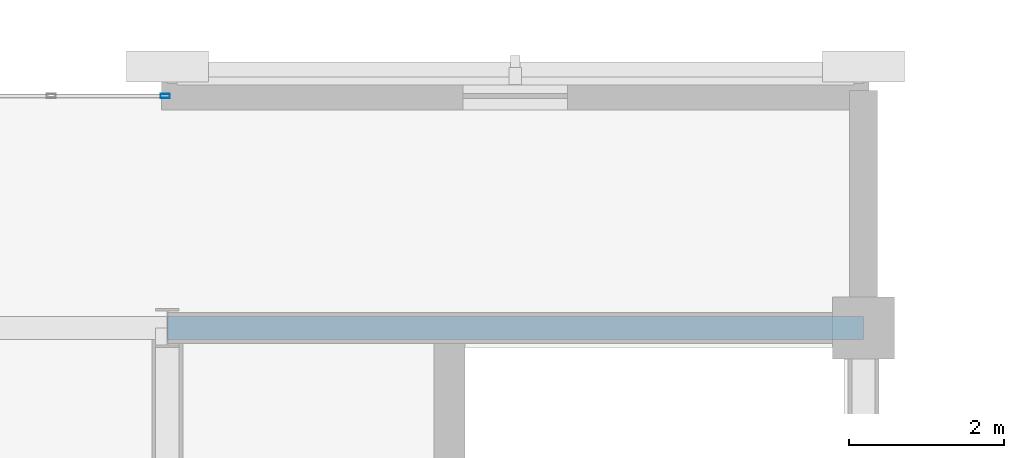
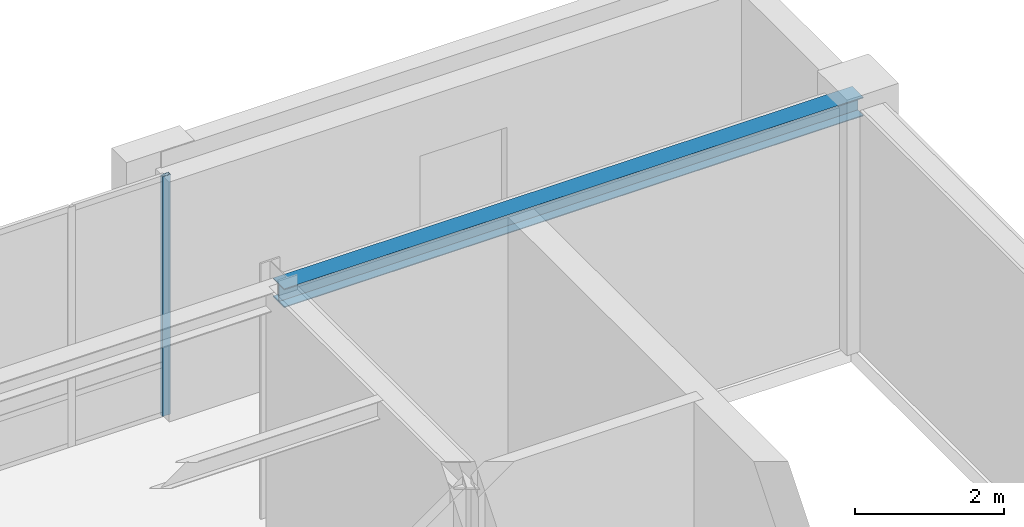
# One storey, part 48 of 108: 1 beam, 1 member, 1 element without a shape of its own.
"""IFC4 building model written with IfcOpenShell, lengths in metres."""

from ifc_helpers import new_model, si_unit, direction, frame, origin, origin_2d, place, context, subcontext, project, spatial, hollow_rectangle, i_section, extrude, material, material_profile, profile_set, type_object, element, aggregate, save


model = new_model("IFC4")

# Units and contexts
model_context = context("Model", 3, precision=1e-05, world=origin(), true_north=direction((0.0, 1.0)))
body_context = subcontext(model_context, "Body", "Model", "MODEL_VIEW")
ifc_project = project(units=[si_unit("LENGTHUNIT", "METRE"), si_unit("AREAUNIT", "SQUARE_METRE"), si_unit("VOLUMEUNIT", "CUBIC_METRE"), si_unit("PLANEANGLEUNIT", "RADIAN"), si_unit("MASSUNIT", "GRAM", prefix="KILO")], contexts=[model_context])

# Site, building, storey
site_placement = place(None, origin())
site = spatial("IfcSite", under=ifc_project, at=site_placement, CompositionType="ELEMENT")
building_placement = place(site_placement, origin())
building = spatial("IfcBuilding", under=site, at=building_placement, Name="Lykobir Media Centre", CompositionType="ELEMENT")
storey_placement = place(building_placement, frame((0.0, 0.0, 15.0)))
storey = spatial("IfcBuildingStorey", under=building, at=storey_placement, Name="L03", CompositionType="ELEMENT", Elevation=15.0)

# Curtain wall, member
ifc_material_1 = material(Name="Anodized Aluminium AW-6060", Category="aluminium")
curtain_wall_type = type_object("IfcCurtainWallType", Name="CW-COURT-B", PredefinedType="NOTDEFINED", material=ifc_material_1)
curtain_wall_placement = place(storey_placement, origin())
curtain_wall = element("IfcCurtainWall", 1, at=curtain_wall_placement, inside=storey, type_object=curtain_wall_type, Name="Curtain wall CW2-L03-0114", PredefinedType="NOTDEFINED")
ifc_material_profile_1 = material_profile(ifc_material_1, hollow_rectangle(XDim=0.054931640625, YDim=0.1201171875, WallThickness=0.003173828125, at=origin_2d()), Name="ALU MULLION 55x120")
ifc_profile_set_1 = profile_set([ifc_material_profile_1], Name="Anodized Aluminium AW-6060")
member_type = type_object("IfcMemberType", Name="CWM-120", PredefinedType="MULLION", material=ifc_profile_set_1)
member_placement = place(storey_placement, frame((71.972412109375, 21.0, 0.0), z_axis=(0.0, 0.0, 1.0), x_axis=(0.0, 1.0, 0.0)))
member = element("IfcMember", 2, at=member_placement, type_object=member_type, Name="CW2-L03-0114 mullion 7", PredefinedType="MULLION", context=body_context, shape_type="SweptSolid", body=[
    extrude(hollow_rectangle(XDim=0.054931640625, YDim=0.1201171875, WallThickness=0.003173828125, at=origin_2d()), origin(), (0.0, 0.0, 1.0), 3.93994140625),
])
aggregate(curtain_wall, [member])

# Beam
ifc_material_2 = material(Name="Steel S355", Category="steel")
ifc_material_profile_2 = material_profile(ifc_material_2, i_section(OverallWidth=0.300048828125, OverallDepth=0.31005859375, WebThickness=0.009033203125, FlangeThickness=0.015380859375, at=origin_2d()), Name="HEA 320")
ifc_profile_set_2 = profile_set([ifc_material_profile_2], Name="Steel S355")
beam_type = type_object("IfcBeamType", Name="SP-HEA320", PredefinedType="SPANDREL", material=ifc_profile_set_2)
beam_placement = place(storey_placement, frame((72.0, 18.0, 3.804931640625), z_axis=(1.0, 0.0, 0.0), x_axis=(0.0, 1.0, 0.0)))
element("IfcBeam", 3, at=beam_placement, inside=storey, type_object=beam_type, Name="Beam BM-L03-0720-0180-0810-0180-1880", PredefinedType="SPANDREL", context=body_context, shape_type="SweptSolid", body=[
    extrude(i_section(OverallWidth=0.300048828125, OverallDepth=0.31005859375, WebThickness=0.009033203125, FlangeThickness=0.015380859375, at=origin_2d()), origin(), (0.0, 0.0, 1.0), 9.0),
])

save(model, "model.ifc")
